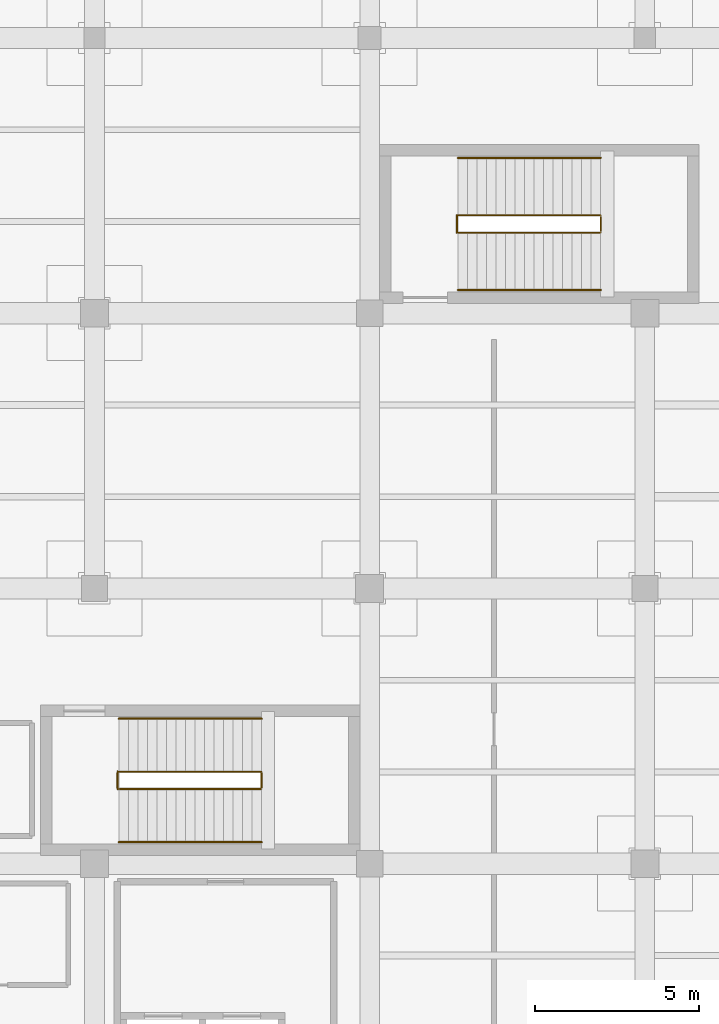
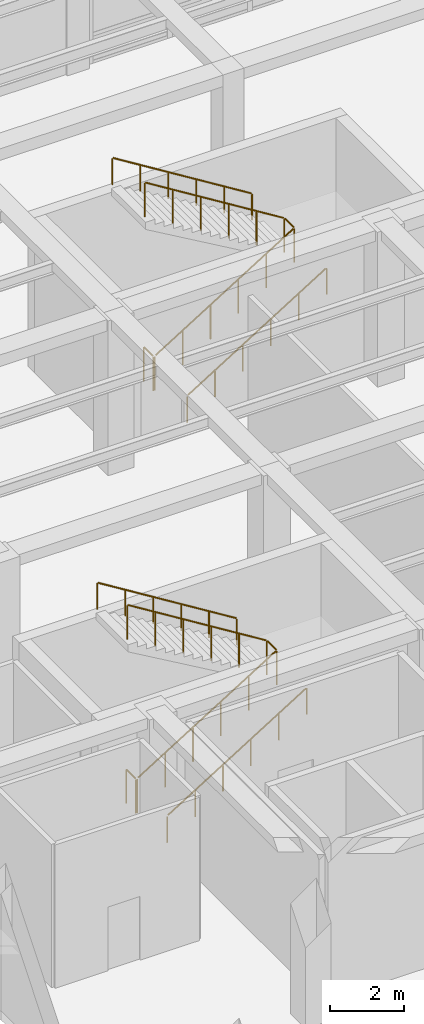
# One storey, part 94 of 95: 8 railings.
"""IFC4 building model written with IfcOpenShell, lengths in metres."""

import ifcopenshell
import ifcopenshell.guid

model = None  # the IFC model being written
_history = None  # IfcOwnerHistory: only IFC2X3 demands one
_inside = {}  # id of a spatial element -> (the spatial element, [elements in it])
_under = {}  # id of a project, library or spatial element -> (it, [spatial elements below it])
_declared = {}  # id of a project -> (the project, [libraries it declares])
_typed = {}  # id of a type object -> (the type object, [elements of that type])
_made_of = {}  # id of a material, layer set ... -> (it, [elements and type objects made of it])


def new_model(schema):
    """Start an empty IFC model of exactly this schema.

    Asked for "IFC4X3", IfcOpenShell would pick the latest addendum, in which some entities
    have other attributes; the version numbers below select the first issue.
    IFC2X3 requires an IfcOwnerHistory on every rooted entity: one is made here for all.
    """
    global model, _history
    if schema == "IFC4X3":
        model = ifcopenshell.file(schema_version=(4, 3, 0, 0))
    else:
        model = ifcopenshell.file(schema=schema)
    _inside.clear()
    _under.clear()
    _declared.clear()
    _typed.clear()
    _made_of.clear()
    _history = None
    if model.schema == "IFC2X3":
        org = make("IfcOrganization", Name="unknown")
        user = make(
            "IfcPersonAndOrganization",
            ThePerson=make("IfcPerson", FamilyName="unknown"),
            TheOrganization=org,
        )
        app = make(
            "IfcApplication",
            ApplicationDeveloper=org,
            Version="unknown",
            ApplicationFullName="unknown",
            ApplicationIdentifier="unknown",
        )
        _history = make(
            "IfcOwnerHistory",
            OwningUser=user,
            OwningApplication=app,
            ChangeAction="ADDED",
            CreationDate=0,
        )
    return model


def make(cls, **values):
    """One entity of the class cls with the attributes given. An attribute that is None is left unset."""
    return model.create_entity(
        cls, **{name: value for name, value in values.items() if value is not None}
    )


def rooted(cls, **values):
    """An entity with a GlobalId (a new one), such as an element, a storey or a relation."""
    return make(cls, GlobalId=ifcopenshell.guid.new(), OwnerHistory=_history, **values)


def si_unit(unit_type, name, prefix=None):
    """IfcSIUnit, for example si_unit("LENGTHUNIT", "METRE", prefix="MILLI")."""
    return make("IfcSIUnit", UnitType=unit_type, Prefix=prefix, Name=name)


def assignment(units):
    """IfcUnitAssignment: the units of a project."""
    return None if units is None else make("IfcUnitAssignment", Units=units)


def point(xyz):
    """IfcCartesianPoint."""
    return None if xyz is None else make("IfcCartesianPoint", Coordinates=xyz)


def direction(xyz):
    """IfcDirection."""
    return None if xyz is None else make("IfcDirection", DirectionRatios=xyz)


def frame(location, z_axis=None, x_axis=None):
    """IfcAxis2Placement3D, a coordinate frame: its origin and axes. An axis left out is left unset."""
    return make(
        "IfcAxis2Placement3D",
        Location=point(location),
        Axis=direction(z_axis),
        RefDirection=direction(x_axis),
    )


def frame_2d(location, x_axis=None):
    """IfcAxis2Placement2D, a coordinate frame in the plane: its origin and x axis."""
    return make(
        "IfcAxis2Placement2D", Location=point(location), RefDirection=direction(x_axis)
    )


def origin():
    """The frame at (0, 0, 0) with its axes left unset."""
    return frame((0.0, 0.0, 0.0))


def origin_2d():
    """The frame at (0, 0) in the plane with its x axis left unset."""
    return frame_2d((0.0, 0.0))


def place(relative_to, where):
    """IfcLocalPlacement: puts the frame where relative to a parent placement (None: the world)."""
    return make(
        "IfcLocalPlacement", PlacementRelTo=relative_to, RelativePlacement=where
    )


def context(
    kind, dimensions, precision=None, world=None, true_north=None, identifier=None
):
    """IfcGeometricRepresentationContext, for example the 3D "Model" context."""
    return make(
        "IfcGeometricRepresentationContext",
        ContextIdentifier=identifier,
        ContextType=kind,
        CoordinateSpaceDimension=dimensions,
        Precision=precision,
        WorldCoordinateSystem=world,
        TrueNorth=true_north,
    )


def subcontext(parent, identifier, kind, view, scale=None):
    """IfcGeometricRepresentationSubContext, for example "Body" below "Model"."""
    return make(
        "IfcGeometricRepresentationSubContext",
        ContextIdentifier=identifier,
        ContextType=kind,
        ParentContext=parent,
        TargetScale=scale,
        TargetView=view,
    )


def project(units=None, contexts=None):
    """IfcProject with its units and contexts."""
    return rooted(
        "IfcProject",
        Name="project",
        RepresentationContexts=contexts,
        UnitsInContext=assignment(units),
    )


def spatial(cls, under=None, at=None, **own):
    """A site, building, storey or space (cls), placed at a placement, below another one or the project."""
    s = rooted(cls, ObjectPlacement=at, **own)
    if under is not None:
        _under.setdefault(under.id(), (under, []))[1].append(s)
    return s


def profile(cls, at=None, kind="AREA", **sizes):
    """A parametric profile (cls). Its sizes go by their IFC names, for example OverallWidth=200.0."""
    return make(cls, ProfileType=kind, Position=at, **sizes)


def circle(**sizes):
    """IfcCircleProfileDef."""
    return profile("IfcCircleProfileDef", **sizes)


def extrude(swept, where, along, depth):
    """IfcExtrudedAreaSolid: the profile swept, set in the frame where, extruded along a direction by depth."""
    return make(
        "IfcExtrudedAreaSolid",
        SweptArea=swept,
        Position=where,
        ExtrudedDirection=direction(along),
        Depth=depth,
    )


def shape(context_of_items, identifier, shape_type, items):
    """IfcShapeRepresentation: the items that make up one representation, for example the "Body"."""
    return make(
        "IfcShapeRepresentation",
        ContextOfItems=context_of_items,
        RepresentationIdentifier=identifier,
        RepresentationType=shape_type,
        Items=items,
    )


def material(Name=None, Category=None):
    """IfcMaterial."""
    return make("IfcMaterial", Name=Name, Category=Category)


def made_of(thing, what):
    """Note that an element or type object is made of a material, layer set ...; save() writes the relation."""
    if what is not None:
        _made_of.setdefault(what.id(), (what, []))[1].append(thing)
    return thing


def type_object(cls, material=None, **own):
    """A type object (cls), such as IfcWallType, which elements share."""
    return made_of(rooted(cls, **own), material)


def element(
    cls,
    number,
    at=None,
    inside=None,
    cuts=None,
    type_object=None,
    material=None,
    context=None,
    identifier="Body",
    shape_type=None,
    held_by="IfcProductDefinitionShape",
    body=None,
    shapes=None,
    **own,
):
    """One element of the class cls, such as IfcWall. Its Tag is "e" and its number.

    at: its placement. inside: the storey or other place that contains it. cuts: it is an
    opening in that element (IfcRelVoidsElement). A single representation is given by context,
    identifier, shape_type and body (its items); several are given by shapes. held_by: the class
    of the entity that holds the representations. save() writes the other relations.
    """
    e = rooted(cls, Tag="e%d" % number, ObjectPlacement=at, **own)
    if body is not None:
        shapes = [shape(context, identifier, shape_type, body)]
    if shapes is not None:
        e.Representation = make(held_by, Representations=shapes)
    if inside is not None:
        _inside.setdefault(inside.id(), (inside, []))[1].append(e)
    if cuts is not None:
        rooted(
            "IfcRelVoidsElement", RelatingBuildingElement=cuts, RelatedOpeningElement=e
        )
    if type_object is not None:
        _typed.setdefault(type_object.id(), (type_object, []))[1].append(e)
    return made_of(e, material)


def aggregate(whole, parts):
    """IfcRelAggregates: a whole, such as a stair, and the parts it consists of."""
    return rooted("IfcRelAggregates", RelatingObject=whole, RelatedObjects=parts)


def save(model, path):
    """Write the relations noted so far, then the file.

    IfcRelAggregates (storeys below a building ...), IfcRelContainedInSpatialStructure (elements
    in a storey), IfcRelDefinesByType, IfcRelAssociatesMaterial and IfcRelDeclares: one each for
    every whole, place, type object, material and project.
    """
    for whole, parts in _under.values():
        aggregate(whole, parts)
    for where, things in _inside.values():
        rooted(
            "IfcRelContainedInSpatialStructure",
            RelatedElements=things,
            RelatingStructure=where,
        )
    for kind, things in _typed.values():
        rooted("IfcRelDefinesByType", RelatedObjects=things, RelatingType=kind)
    for what, things in _made_of.values():
        rooted("IfcRelAssociatesMaterial", RelatedObjects=things, RelatingMaterial=what)
    for by, libraries in _declared.values():
        rooted("IfcRelDeclares", RelatingContext=by, RelatedDefinitions=libraries)
    model.write(path)


model = new_model("IFC4")

# Units and contexts
model_context = context("Model", 3, precision=1e-05, world=origin(), true_north=direction((0.0, 1.0)))
body_context = subcontext(model_context, "Body", "Model", "MODEL_VIEW")
ifc_project = project(units=[si_unit("LENGTHUNIT", "METRE"), si_unit("AREAUNIT", "SQUARE_METRE"), si_unit("VOLUMEUNIT", "CUBIC_METRE"), si_unit("PLANEANGLEUNIT", "RADIAN"), si_unit("MASSUNIT", "GRAM", prefix="KILO")], contexts=[model_context])

# Site, building, storey
site_placement = place(None, origin())
site = spatial("IfcSite", under=ifc_project, at=site_placement, CompositionType="ELEMENT")
building_placement = place(site_placement, origin())
building = spatial("IfcBuilding", under=site, at=building_placement, Name="Almacenes y Pasaje Nevantli", CompositionType="ELEMENT")
storey_placement = place(building_placement, frame((0.0, 0.0, 11.39990234375)))
storey = spatial("IfcBuildingStorey", under=building, at=storey_placement, Name="L03", CompositionType="ELEMENT", Elevation=11.39990234375)

# Railings
ifc_material_1 = material(Name="Brushed Stainless Steel and Tempered Safety Glass", Category="steel")
railing_type_1 = type_object("IfcRailingType", Name="RL-GUARD-1100", PredefinedType="BALUSTRADE", material=ifc_material_1)
railing_1_placement = place(storey_placement, frame((135.14990234375, 86.280029296875, 0.0)))
element("IfcRailing", 1, at=railing_1_placement, inside=storey, type_object=railing_type_1, Name="L03 Stair ST-02 Inner Well Guard Balustrade", PredefinedType="BALUSTRADE", context=body_context, shape_type="SweptSolid", body=[
    extrude(circle(Radius=0.02392578125, at=origin_2d()), frame((0.025390625, 0.0, 1.1416015625), z_axis=(0.849628378081, 0.0, 0.527381853271), x_axis=(0.0, 1.0, 0.0)), (0.0, 0.0, 1.0), 5.06005859375),
    extrude(circle(Radius=0.02392578125, at=origin_2d()), frame((4.35009765625, 0.030029296875, 3.826171875), z_axis=(0.0, 1.0, 0.0), x_axis=(-1.0, 0.0, 0.0)), (0.0, 0.0, 1.0), 0.469970703125),
    extrude(circle(Radius=0.02392578125, at=origin_2d()), frame((4.32470703125, 0.530029296875, 3.841796875), z_axis=(-0.849649743971, 0.0, 0.527347430608), x_axis=(0.0, -1.0, 0.0)), (0.0, 0.0, 1.0), 5.059814453125),
    extrude(circle(Radius=0.02099609375, at=origin_2d()), origin(), (0.0, 0.0, 1.0), 1.096923828125),
    extrude(circle(Radius=0.02099609375, at=origin_2d()), frame((0.8701171875, 0.0, 0.5400390625)), (0.0, 0.0, 1.0), 1.096923828125),
    extrude(circle(Radius=0.02099609375, at=origin_2d()), frame((1.739990234375, 0.0, 1.080078125)), (0.0, 0.0, 1.0), 1.096923828125),
    extrude(circle(Radius=0.02099609375, at=origin_2d()), frame((2.610107421875, 0.0, 1.6201171875)), (0.0, 0.0, 1.0), 1.096923828125),
    extrude(circle(Radius=0.02099609375, at=origin_2d()), frame((3.47998046875, 0.0, 2.16015625)), (0.0, 0.0, 1.0), 1.096923828125),
    extrude(circle(Radius=0.02099609375, at=origin_2d()), frame((4.35009765625, 0.0, 2.7001953125)), (0.0, 0.0, 1.0), 1.096923828125),
    extrude(circle(Radius=0.02099609375, at=origin_2d()), frame((4.35009765625, 0.530029296875, 2.7001953125)), (0.0, 0.0, 1.0), 1.096923828125),
    extrude(circle(Radius=0.02099609375, at=origin_2d()), frame((3.47998046875, 0.530029296875, 3.240234375)), (0.0, 0.0, 1.0), 1.096923828125),
    extrude(circle(Radius=0.02099609375, at=origin_2d()), frame((2.610107421875, 0.530029296875, 3.7802734375)), (0.0, 0.0, 1.0), 1.096923828125),
    extrude(circle(Radius=0.02099609375, at=origin_2d()), frame((1.739990234375, 0.530029296875, 4.320068359375)), (0.0, 0.0, 1.0), 1.096923828125),
    extrude(circle(Radius=0.02099609375, at=origin_2d()), frame((0.8701171875, 0.530029296875, 4.860107421875)), (0.0, 0.0, 1.0), 1.096923828125),
    extrude(circle(Radius=0.02099609375, at=origin_2d()), frame((0.0, 0.530029296875, 5.400146484375)), (0.0, 0.0, 1.0), 1.096923828125),
])
railing_2_placement = place(storey_placement, frame((135.110107421875, 86.280029296875, 0.0)))
element("IfcRailing", 2, at=railing_2_placement, inside=storey, type_object=railing_type_1, Name="L03 Stair ST-02 Landing Well Slot Guard", PredefinedType="BALUSTRADE", context=body_context, shape_type="SweptSolid", body=[
    extrude(circle(Radius=0.02392578125, at=origin_2d()), frame((0.0, 0.030029296875, 1.1259765625), z_axis=(0.0, 1.0, 0.0), x_axis=(-1.0, 0.0, 0.0)), (0.0, 0.0, 1.0), 0.469970703125),
    extrude(circle(Radius=0.02099609375, at=origin_2d()), origin(), (0.0, 0.0, 1.0), 1.096923828125),
    extrude(circle(Radius=0.02099609375, at=origin_2d()), frame((0.0, 0.530029296875, 0.0)), (0.0, 0.0, 1.0), 1.096923828125),
])
railing_3_placement = place(storey_placement, frame((145.5, 103.260009765625, 0.0)))
element("IfcRailing", 3, at=railing_3_placement, inside=storey, type_object=railing_type_1, Name="L03 Stair ST-07 Inner Well Guard Balustrade", PredefinedType="BALUSTRADE", context=body_context, shape_type="SweptSolid", body=[
    extrude(circle(Radius=0.02392578125, at=origin_2d()), frame((0.025390625, 0.0, 1.1416015625), z_axis=(0.849628378081, 0.0, 0.527381853271), x_axis=(0.0, 1.0, 0.0)), (0.0, 0.0, 1.0), 5.06005859375),
    extrude(circle(Radius=0.02392578125, at=origin_2d()), frame((4.35009765625, 0.030029296875, 3.826171875), z_axis=(0.0, 1.0, 0.0), x_axis=(-1.0, 0.0, 0.0)), (0.0, 0.0, 1.0), 0.469970703125),
    extrude(circle(Radius=0.02392578125, at=origin_2d()), frame((4.32470703125, 0.530029296875, 3.841796875), z_axis=(-0.849649743971, 0.0, 0.527347430608), x_axis=(0.0, -1.0, 0.0)), (0.0, 0.0, 1.0), 5.059814453125),
    extrude(circle(Radius=0.02099609375, at=origin_2d()), origin(), (0.0, 0.0, 1.0), 1.096923828125),
    extrude(circle(Radius=0.02099609375, at=origin_2d()), frame((0.8701171875, 0.0, 0.5400390625)), (0.0, 0.0, 1.0), 1.096923828125),
    extrude(circle(Radius=0.02099609375, at=origin_2d()), frame((1.739990234375, 0.0, 1.080078125)), (0.0, 0.0, 1.0), 1.096923828125),
    extrude(circle(Radius=0.02099609375, at=origin_2d()), frame((2.610107421875, 0.0, 1.6201171875)), (0.0, 0.0, 1.0), 1.096923828125),
    extrude(circle(Radius=0.02099609375, at=origin_2d()), frame((3.47998046875, 0.0, 2.16015625)), (0.0, 0.0, 1.0), 1.096923828125),
    extrude(circle(Radius=0.02099609375, at=origin_2d()), frame((4.35009765625, 0.0, 2.7001953125)), (0.0, 0.0, 1.0), 1.096923828125),
    extrude(circle(Radius=0.02099609375, at=origin_2d()), frame((4.35009765625, 0.530029296875, 2.7001953125)), (0.0, 0.0, 1.0), 1.096923828125),
    extrude(circle(Radius=0.02099609375, at=origin_2d()), frame((3.47998046875, 0.530029296875, 3.240234375)), (0.0, 0.0, 1.0), 1.096923828125),
    extrude(circle(Radius=0.02099609375, at=origin_2d()), frame((2.610107421875, 0.530029296875, 3.7802734375)), (0.0, 0.0, 1.0), 1.096923828125),
    extrude(circle(Radius=0.02099609375, at=origin_2d()), frame((1.739990234375, 0.530029296875, 4.320068359375)), (0.0, 0.0, 1.0), 1.096923828125),
    extrude(circle(Radius=0.02099609375, at=origin_2d()), frame((0.8701171875, 0.530029296875, 4.860107421875)), (0.0, 0.0, 1.0), 1.096923828125),
    extrude(circle(Radius=0.02099609375, at=origin_2d()), frame((0.0, 0.530029296875, 5.400146484375)), (0.0, 0.0, 1.0), 1.096923828125),
])
railing_4_placement = place(storey_placement, frame((145.4599609375, 103.260009765625, 0.0)))
element("IfcRailing", 4, at=railing_4_placement, inside=storey, type_object=railing_type_1, Name="L03 Stair ST-07 Landing Well Slot Guard", PredefinedType="BALUSTRADE", context=body_context, shape_type="SweptSolid", body=[
    extrude(circle(Radius=0.02392578125, at=origin_2d()), frame((0.0, 0.030029296875, 1.1259765625), z_axis=(0.0, 1.0, 0.0), x_axis=(-1.0, 0.0, 0.0)), (0.0, 0.0, 1.0), 0.469970703125),
    extrude(circle(Radius=0.02099609375, at=origin_2d()), origin(), (0.0, 0.0, 1.0), 1.096923828125),
    extrude(circle(Radius=0.02099609375, at=origin_2d()), frame((0.0, 0.530029296875, 0.0)), (0.0, 0.0, 1.0), 1.096923828125),
])
ifc_material_2 = material(Name="Brushed Stainless Steel Tube", Category="steel")
railing_type_2 = type_object("IfcRailingType", Name="RL-HANDRAIL-900", PredefinedType="HANDRAIL", material=ifc_material_2)
railing_5_placement = place(storey_placement, frame((135.14990234375, 84.659912109375, 0.0)))
element("IfcRailing", 5, at=railing_5_placement, inside=storey, type_object=railing_type_2, Name="L03 Stair ST-02 Lower Flight Handrail", PredefinedType="HANDRAIL", context=body_context, shape_type="SweptSolid", body=[
    extrude(circle(Radius=0.02392578125, at=origin_2d()), frame((0.025390625, 0.0, 0.8916015625), z_axis=(0.849628378081, 0.0, 0.527381853271), x_axis=(0.0, 1.0, 0.0)), (0.0, 0.0, 1.0), 5.06005859375),
    extrude(circle(Radius=0.02099609375, at=origin_2d()), origin(), (0.0, 0.0, 1.0), 0.846923828125),
    extrude(circle(Radius=0.02099609375, at=origin_2d()), frame((0.8701171875, 0.0, 0.5400390625)), (0.0, 0.0, 1.0), 0.846923828125),
    extrude(circle(Radius=0.02099609375, at=origin_2d()), frame((1.739990234375, 0.0, 1.080078125)), (0.0, 0.0, 1.0), 0.846923828125),
    extrude(circle(Radius=0.02099609375, at=origin_2d()), frame((2.610107421875, 0.0, 1.6201171875)), (0.0, 0.0, 1.0), 0.846923828125),
    extrude(circle(Radius=0.02099609375, at=origin_2d()), frame((3.47998046875, 0.0, 2.16015625)), (0.0, 0.0, 1.0), 0.846923828125),
    extrude(circle(Radius=0.02099609375, at=origin_2d()), frame((4.35009765625, 0.0, 2.7001953125)), (0.0, 0.0, 1.0), 0.846923828125),
])
railing_6_placement = place(storey_placement, frame((139.5, 88.429931640625, 2.7001953125)))
element("IfcRailing", 6, at=railing_6_placement, inside=storey, type_object=railing_type_2, Name="L03 Stair ST-02 Upper Flight Handrail", PredefinedType="HANDRAIL", context=body_context, shape_type="SweptSolid", body=[
    extrude(circle(Radius=0.02392578125, at=origin_2d()), frame((-0.025390625, 0.0, 0.8916015625), z_axis=(-0.849649743971, 0.0, 0.527347430608), x_axis=(0.0, -1.0, 0.0)), (0.0, 0.0, 1.0), 5.059814453125),
    extrude(circle(Radius=0.02099609375, at=origin_2d()), origin(), (0.0, 0.0, 1.0), 0.846923828125),
    extrude(circle(Radius=0.02099609375, at=origin_2d()), frame((-0.8701171875, 0.0, 0.5400390625)), (0.0, 0.0, 1.0), 0.846923828125),
    extrude(circle(Radius=0.02099609375, at=origin_2d()), frame((-1.739990234375, 0.0, 1.080078125)), (0.0, 0.0, 1.0), 0.846923828125),
    extrude(circle(Radius=0.02099609375, at=origin_2d()), frame((-2.610107421875, 0.0, 1.619873046875)), (0.0, 0.0, 1.0), 0.846923828125),
    extrude(circle(Radius=0.02099609375, at=origin_2d()), frame((-3.47998046875, 0.0, 2.159912109375)), (0.0, 0.0, 1.0), 0.846923828125),
    extrude(circle(Radius=0.02099609375, at=origin_2d()), frame((-4.35009765625, 0.0, 2.699951171875)), (0.0, 0.0, 1.0), 0.846923828125),
])
railing_7_placement = place(storey_placement, frame((145.5, 101.510009765625, 0.0)))
element("IfcRailing", 7, at=railing_7_placement, inside=storey, type_object=railing_type_2, Name="L03 Stair ST-07 Lower Flight Handrail", PredefinedType="HANDRAIL", context=body_context, shape_type="SweptSolid", body=[
    extrude(circle(Radius=0.02392578125, at=origin_2d()), frame((0.025390625, 0.0, 0.8916015625), z_axis=(0.849628378081, 0.0, 0.527381853271), x_axis=(0.0, 1.0, 0.0)), (0.0, 0.0, 1.0), 5.06005859375),
    extrude(circle(Radius=0.02099609375, at=origin_2d()), origin(), (0.0, 0.0, 1.0), 0.846923828125),
    extrude(circle(Radius=0.02099609375, at=origin_2d()), frame((0.8701171875, 0.0, 0.5400390625)), (0.0, 0.0, 1.0), 0.846923828125),
    extrude(circle(Radius=0.02099609375, at=origin_2d()), frame((1.739990234375, 0.0, 1.080078125)), (0.0, 0.0, 1.0), 0.846923828125),
    extrude(circle(Radius=0.02099609375, at=origin_2d()), frame((2.610107421875, 0.0, 1.6201171875)), (0.0, 0.0, 1.0), 0.846923828125),
    extrude(circle(Radius=0.02099609375, at=origin_2d()), frame((3.47998046875, 0.0, 2.16015625)), (0.0, 0.0, 1.0), 0.846923828125),
    extrude(circle(Radius=0.02099609375, at=origin_2d()), frame((4.35009765625, 0.0, 2.7001953125)), (0.0, 0.0, 1.0), 0.846923828125),
])
railing_8_placement = place(storey_placement, frame((149.85009765625, 105.5400390625, 2.7001953125)))
element("IfcRailing", 8, at=railing_8_placement, inside=storey, type_object=railing_type_2, Name="L03 Stair ST-07 Upper Flight Handrail", PredefinedType="HANDRAIL", context=body_context, shape_type="SweptSolid", body=[
    extrude(circle(Radius=0.02392578125, at=origin_2d()), frame((-0.025390625, 0.0, 0.8916015625), z_axis=(-0.849649743971, 0.0, 0.527347430608), x_axis=(0.0, -1.0, 0.0)), (0.0, 0.0, 1.0), 5.059814453125),
    extrude(circle(Radius=0.02099609375, at=origin_2d()), origin(), (0.0, 0.0, 1.0), 0.846923828125),
    extrude(circle(Radius=0.02099609375, at=origin_2d()), frame((-0.8701171875, 0.0, 0.5400390625)), (0.0, 0.0, 1.0), 0.846923828125),
    extrude(circle(Radius=0.02099609375, at=origin_2d()), frame((-1.739990234375, 0.0, 1.080078125)), (0.0, 0.0, 1.0), 0.846923828125),
    extrude(circle(Radius=0.02099609375, at=origin_2d()), frame((-2.610107421875, 0.0, 1.619873046875)), (0.0, 0.0, 1.0), 0.846923828125),
    extrude(circle(Radius=0.02099609375, at=origin_2d()), frame((-3.47998046875, 0.0, 2.159912109375)), (0.0, 0.0, 1.0), 0.846923828125),
    extrude(circle(Radius=0.02099609375, at=origin_2d()), frame((-4.35009765625, 0.0, 2.699951171875)), (0.0, 0.0, 1.0), 0.846923828125),
])

save(model, "model.ifc")
